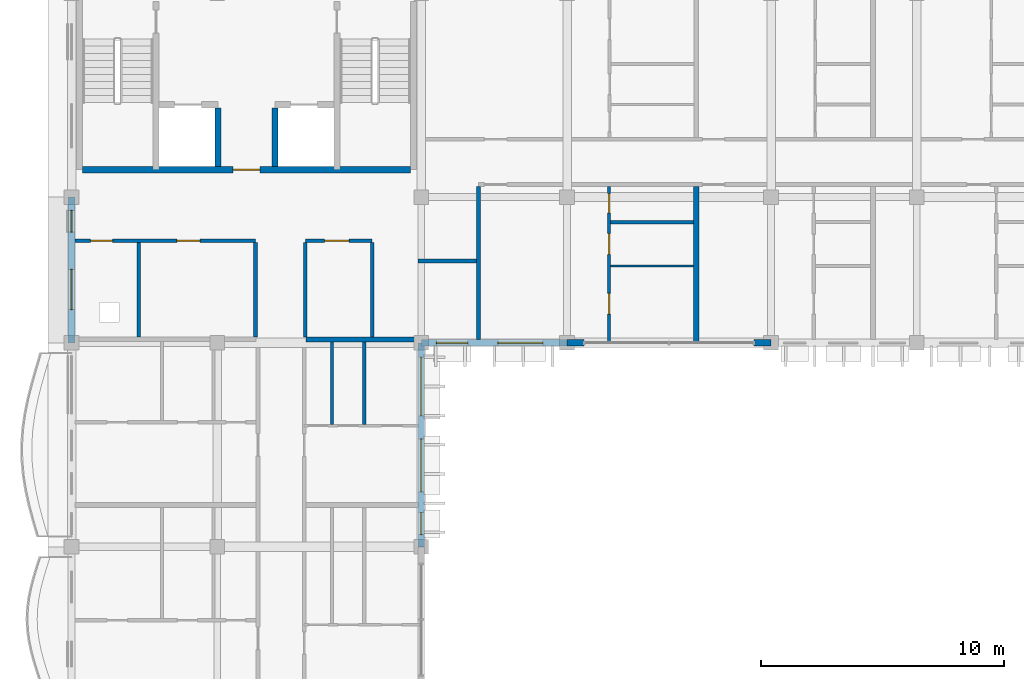
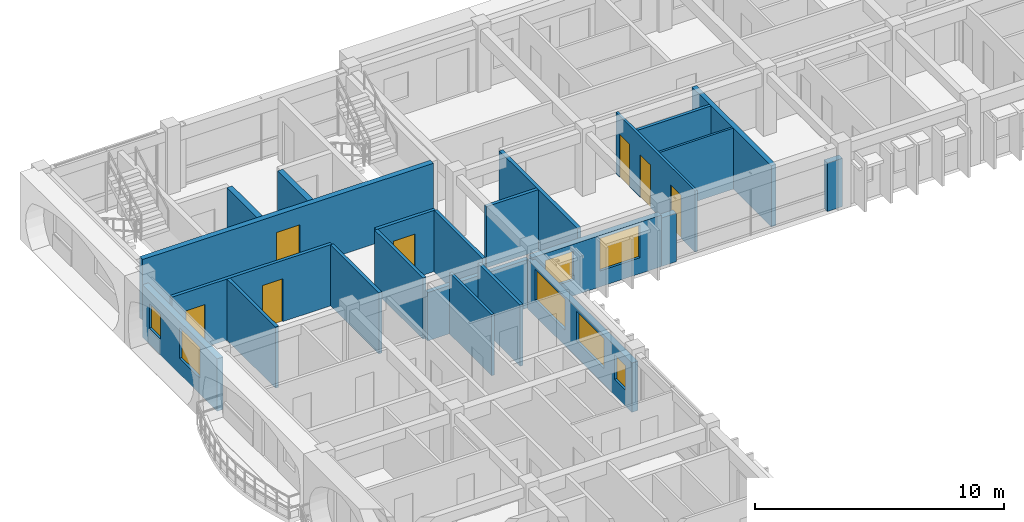
# One storey, part 26 of 54: 23 walls, 7 doors, 7 windows, 14 openings.
"""IFC4 building model written with IfcOpenShell, lengths in metres."""

from ifc_helpers import new_model, si_unit, direction, frame, frame_2d, origin, place, context, subcontext, project, spatial, rectangle, extrude, material, layer, layer_set, type_object, element, fill, save


model = new_model("IFC4")

# Units and contexts
model_context = context("Model", 3, precision=1e-05, world=origin(), true_north=direction((0.0, 1.0)))
body_context = subcontext(model_context, "Body", "Model", "MODEL_VIEW")
ifc_project = project(units=[si_unit("LENGTHUNIT", "METRE"), si_unit("AREAUNIT", "SQUARE_METRE"), si_unit("VOLUMEUNIT", "CUBIC_METRE"), si_unit("PLANEANGLEUNIT", "RADIAN"), si_unit("MASSUNIT", "GRAM", prefix="KILO"), si_unit("THERMODYNAMICTEMPERATUREUNIT", "KELVIN")], contexts=[model_context])

# Site, building, storey
site_placement = place(None, origin())
site = spatial("IfcSite", under=ifc_project, at=site_placement, CompositionType="ELEMENT")
building_placement = place(site_placement, origin())
building = spatial("IfcBuilding", under=site, at=building_placement, Name="Thalorik Housing Commons", CompositionType="ELEMENT")
storey_placement = place(building_placement, frame((0.0, 0.0, 31.199951171875)))
storey = spatial("IfcBuildingStorey", under=building, at=storey_placement, Name="L09", CompositionType="ELEMENT", Elevation=31.199951171875)

# Walls
ifc_material_1 = material(Name="Concrete C40/50", Category="concrete")
ifc_layer_1 = layer(ifc_material_1, 0.25, Name="Concrete C40/50", Category="concrete")
ifc_layer_set_1 = layer_set([ifc_layer_1], Name="Concrete C40/50")
wall_type_1 = type_object("IfcWallType", Name="ARC-WAL-CORE-250", PredefinedType="SHEAR", material=ifc_layer_set_1)
for number, where, z_axis, x_axis, name in (
    (1, (14.425048828125, 118.875, 0.0), (0.0, 0.0, 1.0), (0.0, -1.0, 0.0), "L09 Lift 1 Cheek Wall"),
    (2, (16.77490234375, 118.875, 0.0), (0.0, 0.0, 1.0), (0.0, -1.0, 0.0), "L09 Lift 2 Cheek Wall"),
):
    element("IfcWall", number, at=place(storey_placement, frame(where, z_axis=z_axis, x_axis=x_axis)), inside=storey, type_object=wall_type_1, Name=name, PredefinedType="SHEAR", context=body_context, shape_type="SweptSolid", body=[
        extrude(rectangle(XDim=2.425048828125, YDim=0.25, at=frame_2d((1.21240234375, 0.0))), origin(), (0.0, 0.0, 1.0), 3.0),
    ])

# Wall, opening, door
wall_1_placement = place(storey_placement, frame((8.85009765625, 116.324951171875, 0.0), z_axis=(0.0, 0.0, 1.0), x_axis=(1.0, 0.0, 0.0)))
wall_1 = element("IfcWall", 3, at=wall_1_placement, inside=storey, type_object=wall_type_1, Name="L09 Core A Spine Shear Wall", PredefinedType="SHEAR", context=body_context, shape_type="SweptSolid", body=[
    extrude(rectangle(XDim=13.5, YDim=0.25, at=frame_2d((6.75, 0.0))), origin(), (0.0, 0.0, 1.0), 3.0),
])
opening_1_placement = place(wall_1_placement, frame((6.199951171875, 0.0, 0.0)))
opening_1 = element("IfcOpeningElement", 4, at=opening_1_placement, cuts=wall_1, Name="Opening ID-0085", PredefinedType="OPENING", context=body_context, shape_type="SweptSolid", body=[
    extrude(rectangle(XDim=1.10009765625, YDim=2.14990234375, at=frame_2d((0.550048828125, 1.074951171875))), frame((0.0, 0.135009765625, 0.0), z_axis=(0.0, -1.0, 0.0), x_axis=(1.0, 0.0, 0.0)), (0.0, 0.0, 1.0), 0.27001953125),
])
ifc_material_2 = material(Name="Steel S355", Category="steel")
door_type_1 = type_object("IfcDoorType", Name="ARC-DR-FD60-1100", OperationType="NOTDEFINED", PredefinedType="DOOR", material=ifc_material_2)
door_1_placement = place(opening_1_placement, origin())
door_1 = element("IfcDoor", 5, at=door_1_placement, inside=storey, type_object=door_type_1, Name="L09 Core A Lobby Fire Door", OperationType="SINGLE_SWING_RIGHT", OverallHeight=2.14990234375, OverallWidth=1.10009765625, PredefinedType="DOOR", context=body_context, shape_type="SweptSolid", body=[
    extrude(rectangle(XDim=1.10009765625, YDim=2.14990234375, at=frame_2d((0.550048828125, 1.074951171875))), frame((0.0, 0.02490234375, 0.0), z_axis=(0.0, -1.0, 0.0), x_axis=(1.0, 0.0, 0.0)), (0.0, 0.0, 1.0), 0.050048828125),
])
fill(opening_1, door_1)

# Walls
ifc_material_3 = material(Name="Masonry fire-rated corridor wall", Category="masonry")
ifc_layer_2 = layer(ifc_material_3, 0.14990234375, Name="Masonry fire-rated corridor wall", Category="masonry")
ifc_layer_set_2 = layer_set([ifc_layer_2], Name="Masonry fire-rated corridor wall")
wall_type_2 = type_object("IfcWallType", Name="ARC-WAL-CORR-150", PredefinedType="PARTITIONING", material=ifc_layer_set_2)
wall_2_placement = place(storey_placement, frame((22.659912109375, 112.570068359375, 0.0), z_axis=(0.0, 0.0, 1.0), x_axis=(1.0, 0.0, 0.0)))
element("IfcWall", 6, at=wall_2_placement, inside=storey, type_object=wall_type_2, Name="L09 Block A Vestibule South Wall", PredefinedType="PARTITIONING", context=body_context, shape_type="SweptSolid", body=[
    extrude(rectangle(XDim=2.405517578125, YDim=0.14990234375, at=frame_2d((1.20263671875, 0.0))), origin(), (0.0, 0.0, 1.0), 3.0),
])
ifc_layer_3 = layer(ifc_material_3, 0.1650390625, Name="Masonry fire-rated corridor wall", Category="masonry")
ifc_layer_set_3 = layer_set([ifc_layer_3], Name="Masonry fire-rated corridor wall")
wall_type_3 = type_object("IfcWallType", Name="ARC-WAL-CORR-165", PredefinedType="PARTITIONING", material=ifc_layer_set_3)
wall_3_placement = place(storey_placement, frame((25.14990234375, 109.339599609375, 0.0), z_axis=(0.0, 0.0, 1.0), x_axis=(0.0, 1.0, 0.0)))
element("IfcWall", 7, at=wall_3_placement, inside=storey, type_object=wall_type_3, Name="L09 Block A Vestibule Cheek Wall", PredefinedType="PARTITIONING", context=body_context, shape_type="SweptSolid", body=[
    extrude(rectangle(XDim=6.2958984375, YDim=0.1650390625, at=frame_2d((3.14794921875, 0.0))), origin(), (0.0, 0.0, 1.0), 3.0),
])

# Wall, openings, windows
ifc_material_4 = material(Name="White precast concrete C40/50", Category="concrete")
ifc_layer_4 = layer(ifc_material_4, 0.27490234375, Name="White precast concrete C40/50", Category="concrete")
ifc_layer_set_4 = layer_set([ifc_layer_4], Name="White precast concrete C40/50")
wall_type_4 = type_object("IfcWallType", Name="ARC-WAL-EXT-275", PredefinedType="STANDARD", material=ifc_layer_set_4)
wall_4_placement = place(storey_placement, frame((22.800048828125, 109.199951171875, 0.0), z_axis=(0.0, 0.0, 1.0), x_axis=(1.0, 0.0, 0.0)))
wall_4 = element("IfcWall", 8, at=wall_4_placement, inside=storey, type_object=wall_type_4, Name="L09 Exterior Wall WAL-EXT-L09-A-0235", PredefinedType="STANDARD", context=body_context, shape_type="SweptSolid", body=[
    extrude(rectangle(XDim=6.0, YDim=0.27490234375, at=frame_2d((3.0, 0.0))), origin(), (0.0, 0.0, 1.0), 2.525146484375),
])
opening_2_placement = place(wall_4_placement, frame((0.6201171875, 0.0, 0.780029296875)))
opening_2 = element("IfcOpeningElement", 9, at=opening_2_placement, cuts=wall_4, Name="Opening W-06", PredefinedType="OPENING", context=body_context, shape_type="SweptSolid", body=[
    extrude(rectangle(XDim=1.300048828125, YDim=1.39990234375, at=frame_2d((0.64990234375, 0.699951171875))), frame((0.0, 0.1474609375, 0.0), z_axis=(0.0, -1.0, 0.0), x_axis=(1.0, 0.0, 0.0)), (0.0, 0.0, 1.0), 0.294921875),
])
opening_3_placement = place(wall_4_placement, frame((3.155029296875, 0.0, 0.780029296875)))
opening_3 = element("IfcOpeningElement", 10, at=opening_3_placement, cuts=wall_4, Name="Opening W-20", PredefinedType="OPENING", context=body_context, shape_type="SweptSolid", body=[
    extrude(rectangle(XDim=1.85009765625, YDim=1.60009765625, at=frame_2d((0.925048828125, 0.800048828125))), frame((0.0, 0.1474609375, 0.0), z_axis=(0.0, -1.0, 0.0), x_axis=(1.0, 0.0, 0.0)), (0.0, 0.0, 1.0), 0.294921875),
])
ifc_material_5 = material(Name="Anodised aluminium and solar-control low-E glass", Category="aluminium")
window_type_1 = type_object("IfcWindowType", Name="ARC-WIN-06", PartitioningType="SINGLE_PANEL", PredefinedType="WINDOW", material=ifc_material_5)
window_1_placement = place(opening_2_placement, origin())
window_1 = element("IfcWindow", 11, at=window_1_placement, inside=storey, type_object=window_type_1, Name="L09 Facade Window 424", OverallHeight=1.39990234375, OverallWidth=1.300048828125, PartitioningType="SINGLE_PANEL", PredefinedType="WINDOW", context=body_context, shape_type="SweptSolid", body=[
    extrude(rectangle(XDim=1.300048828125, YDim=1.39990234375, at=frame_2d((0.64990234375, 0.699951171875))), frame((0.0, 0.030029296875, 0.0), z_axis=(0.0, -1.0, 0.0), x_axis=(1.0, 0.0, 0.0)), (0.0, 0.0, 1.0), 0.06005859375),
])
fill(opening_2, window_1)
window_type_2 = type_object("IfcWindowType", Name="ARC-WIN-20", PartitioningType="DOUBLE_PANEL_VERTICAL", PredefinedType="WINDOW", material=ifc_material_5)
window_2_placement = place(opening_3_placement, origin())
window_2 = element("IfcWindow", 12, at=window_2_placement, inside=storey, type_object=window_type_2, Name="L09 Facade Window 425", OverallHeight=1.60009765625, OverallWidth=1.85009765625, PartitioningType="DOUBLE_PANEL_VERTICAL", PredefinedType="WINDOW", context=body_context, shape_type="SweptSolid", body=[
    extrude(rectangle(XDim=1.85009765625, YDim=1.60009765625, at=frame_2d((0.925048828125, 0.800048828125))), frame((0.0, 0.030029296875, 0.0), z_axis=(0.0, -1.0, 0.0), x_axis=(1.0, 0.0, 0.0)), (0.0, 0.0, 1.0), 0.06005859375),
])
fill(opening_3, window_2)

# Walls
for number, where, z_axis, x_axis, name in (
    (13, (28.800048828125, 109.199951171875, 0.0), (0.0, 0.0, 1.0), (1.0, 0.0, 0.0), "L09 Exterior Wall WAL-PIERL-L09-A-0236"),
    (14, (36.5, 109.199951171875, 0.0), (0.0, 0.0, 1.0), (1.0, 0.0, 0.0), "L09 Exterior Wall WAL-PIERR-L09-A-0236"),
):
    element("IfcWall", number, at=place(storey_placement, frame(where, z_axis=z_axis, x_axis=x_axis)), inside=storey, type_object=wall_type_4, Name=name, PredefinedType="STANDARD", context=body_context, shape_type="SweptSolid", body=[
        extrude(rectangle(XDim=0.699951171875, YDim=0.27490234375, at=frame_2d((0.35009765625, 0.0))), origin(), (0.0, 0.0, 1.0), 2.375),
    ])

# Wall, openings, windows
wall_5_placement = place(storey_placement, frame((8.39990234375, 115.199951171875, 0.0), z_axis=(0.0, 0.0, 1.0), x_axis=(0.0, -1.0, 0.0)))
wall_5 = element("IfcWall", 15, at=wall_5_placement, inside=storey, type_object=wall_type_4, Name="L09 Exterior Wall WAL-EXT-L09-A-0248", PredefinedType="STANDARD", context=body_context, shape_type="SweptSolid", body=[
    extrude(rectangle(XDim=6.0, YDim=0.27490234375, at=frame_2d((3.0, 0.0))), origin(), (0.0, 0.0, 1.0), 2.574951171875),
])
opening_4_placement = place(wall_5_placement, frame((0.544921875, 0.0, 0.780029296875)))
opening_4 = element("IfcOpeningElement", 16, at=opening_4_placement, cuts=wall_5, Name="Opening W-01", PredefinedType="OPENING", context=body_context, shape_type="SweptSolid", body=[
    extrude(rectangle(XDim=0.89990234375, YDim=1.199951171875, at=frame_2d((0.449951171875, 0.60009765625))), frame((0.0, 0.1474609375, 0.0), z_axis=(0.0, -1.0, 0.0), x_axis=(1.0, 0.0, 0.0)), (0.0, 0.0, 1.0), 0.294921875),
])
opening_5_placement = place(wall_5_placement, frame((2.97998046875, 0.0, 0.780029296875)))
opening_5 = element("IfcOpeningElement", 17, at=opening_5_placement, cuts=wall_5, Name="Opening W-15", PredefinedType="OPENING", context=body_context, shape_type="SweptSolid", body=[
    extrude(rectangle(XDim=1.64990234375, YDim=1.5, at=frame_2d((0.824951171875, 0.75))), frame((0.0, 0.1474609375, 0.0), z_axis=(0.0, -1.0, 0.0), x_axis=(1.0, 0.0, 0.0)), (0.0, 0.0, 1.0), 0.294921875),
])
window_type_3 = type_object("IfcWindowType", Name="ARC-WIN-01", PartitioningType="SINGLE_PANEL", PredefinedType="WINDOW", material=ifc_material_5)
window_3_placement = place(opening_4_placement, origin())
window_3 = element("IfcWindow", 18, at=window_3_placement, inside=storey, type_object=window_type_3, Name="L09 Facade Window 444", OverallHeight=1.199951171875, OverallWidth=0.89990234375, PartitioningType="SINGLE_PANEL", PredefinedType="WINDOW", context=body_context, shape_type="SweptSolid", body=[
    extrude(rectangle(XDim=0.89990234375, YDim=1.199951171875, at=frame_2d((0.449951171875, 0.60009765625))), frame((0.0, 0.030029296875, 0.0), z_axis=(0.0, -1.0, 0.0), x_axis=(1.0, 0.0, 0.0)), (0.0, 0.0, 1.0), 0.06005859375),
])
fill(opening_4, window_3)
window_type_4 = type_object("IfcWindowType", Name="ARC-WIN-15", PartitioningType="DOUBLE_PANEL_VERTICAL", PredefinedType="WINDOW", material=ifc_material_5)
window_4_placement = place(opening_5_placement, origin())
window_4 = element("IfcWindow", 19, at=window_4_placement, inside=storey, type_object=window_type_4, Name="L09 Facade Window 445", OverallHeight=1.5, OverallWidth=1.64990234375, PartitioningType="DOUBLE_PANEL_VERTICAL", PredefinedType="WINDOW", context=body_context, shape_type="SweptSolid", body=[
    extrude(rectangle(XDim=1.64990234375, YDim=1.5, at=frame_2d((0.824951171875, 0.75))), frame((0.0, 0.030029296875, 0.0), z_axis=(0.0, -1.0, 0.0), x_axis=(1.0, 0.0, 0.0)), (0.0, 0.0, 1.0), 0.06005859375),
])
fill(opening_5, window_4)

wall_6_placement = place(storey_placement, frame((22.800048828125, 100.800048828125, 0.0), z_axis=(0.0, 0.0, 1.0), x_axis=(0.0, 1.0, 0.0)))
wall_6 = element("IfcWall", 20, at=wall_6_placement, inside=storey, type_object=wall_type_4, Name="L09 Exterior Wall WAL-EXT-L09-A-0256", PredefinedType="STANDARD", context=body_context, shape_type="SweptSolid", body=[
    extrude(rectangle(XDim=8.39990234375, YDim=0.27490234375, at=frame_2d((4.199951171875, 0.0))), origin(), (0.0, 0.0, 1.0), 2.425048828125),
])
opening_6_placement = place(wall_6_placement, frame((0.5048828125, 0.0, 0.780029296875)))
opening_6 = element("IfcOpeningElement", 21, at=opening_6_placement, cuts=wall_6, Name="Opening W-01", PredefinedType="OPENING", context=body_context, shape_type="SweptSolid", body=[
    extrude(rectangle(XDim=0.89990234375, YDim=1.199951171875, at=frame_2d((0.449951171875, 0.60009765625))), frame((0.0, 0.1474609375, 0.0), z_axis=(0.0, -1.0, 0.0), x_axis=(1.0, 0.0, 0.0)), (0.0, 0.0, 1.0), 0.294921875),
])
opening_7_placement = place(wall_6_placement, frame((2.266845703125, 0.0, 0.780029296875)))
opening_7 = element("IfcOpeningElement", 22, at=opening_7_placement, cuts=wall_6, Name="Opening W-65", PredefinedType="OPENING", context=body_context, shape_type="SweptSolid", body=[
    extrude(rectangle(XDim=2.179931640625, YDim=1.47998046875, at=frame_2d((1.08984375, 0.739990234375))), frame((0.0, 0.1474609375, 0.0), z_axis=(0.0, -1.0, 0.0), x_axis=(1.0, 0.0, 0.0)), (0.0, 0.0, 1.0), 0.294921875),
])
opening_8_placement = place(wall_6_placement, frame((5.391845703125, 0.0, 0.780029296875)))
opening_8 = element("IfcOpeningElement", 23, at=opening_8_placement, cuts=wall_6, Name="Opening W-70", PredefinedType="OPENING", context=body_context, shape_type="SweptSolid", body=[
    extrude(rectangle(XDim=2.419921875, YDim=1.52001953125, at=frame_2d((1.2099609375, 0.760009765625))), frame((0.0, 0.1474609375, 0.0), z_axis=(0.0, -1.0, 0.0), x_axis=(1.0, 0.0, 0.0)), (0.0, 0.0, 1.0), 0.294921875),
])
window_5_placement = place(opening_6_placement, origin())
window_5 = element("IfcWindow", 24, at=window_5_placement, inside=storey, type_object=window_type_3, Name="L09 Facade Window 457", OverallHeight=1.199951171875, OverallWidth=0.89990234375, PartitioningType="SINGLE_PANEL", PredefinedType="WINDOW", context=body_context, shape_type="SweptSolid", body=[
    extrude(rectangle(XDim=0.89990234375, YDim=1.199951171875, at=frame_2d((0.449951171875, 0.60009765625))), frame((0.0, 0.030029296875, 0.0), z_axis=(0.0, -1.0, 0.0), x_axis=(1.0, 0.0, 0.0)), (0.0, 0.0, 1.0), 0.06005859375),
])
fill(opening_6, window_5)
window_type_5 = type_object("IfcWindowType", Name="ARC-WIN-65", PartitioningType="DOUBLE_PANEL_VERTICAL", PredefinedType="WINDOW", material=ifc_material_5)
window_6_placement = place(opening_7_placement, origin())
window_6 = element("IfcWindow", 25, at=window_6_placement, inside=storey, type_object=window_type_5, Name="L09 Facade Window 458", OverallHeight=1.47998046875, OverallWidth=2.179931640625, PartitioningType="DOUBLE_PANEL_VERTICAL", PredefinedType="WINDOW", context=body_context, shape_type="SweptSolid", body=[
    extrude(rectangle(XDim=2.179931640625, YDim=1.47998046875, at=frame_2d((1.08984375, 0.739990234375))), frame((0.0, 0.030029296875, 0.0), z_axis=(0.0, -1.0, 0.0), x_axis=(1.0, 0.0, 0.0)), (0.0, 0.0, 1.0), 0.06005859375),
])
fill(opening_7, window_6)
window_type_6 = type_object("IfcWindowType", Name="ARC-WIN-70", PartitioningType="DOUBLE_PANEL_VERTICAL", PredefinedType="WINDOW", material=ifc_material_5)
window_7_placement = place(opening_8_placement, origin())
window_7 = element("IfcWindow", 26, at=window_7_placement, inside=storey, type_object=window_type_6, Name="L09 Facade Window 459", OverallHeight=1.52001953125, OverallWidth=2.419921875, PartitioningType="DOUBLE_PANEL_VERTICAL", PredefinedType="WINDOW", context=body_context, shape_type="SweptSolid", body=[
    extrude(rectangle(XDim=2.419921875, YDim=1.52001953125, at=frame_2d((1.2099609375, 0.760009765625))), frame((0.0, 0.030029296875, 0.0), z_axis=(0.0, -1.0, 0.0), x_axis=(1.0, 0.0, 0.0)), (0.0, 0.0, 1.0), 0.06005859375),
])
fill(opening_8, window_7)

# Wall
ifc_material_6 = material(Name="Gypsum light stud partition", Category="masonry")
ifc_layer_5 = layer(ifc_material_6, 0.10009765625, Name="Gypsum light stud partition", Category="masonry")
ifc_layer_set_5 = layer_set([ifc_layer_5], Name="Gypsum light stud partition")
wall_type_5 = type_object("IfcWallType", Name="ARC-WAL-PART-100", PredefinedType="PARTITIONING", material=ifc_layer_set_5)
wall_7_placement = place(storey_placement, frame((30.594482421875, 112.36083984375, 0.0), z_axis=(0.0, 0.0, 1.0), x_axis=(1.0, 0.0, 0.0)))
element("IfcWall", 27, at=wall_7_placement, inside=storey, type_object=wall_type_5, Name="L09 Unit 1 Bedroom Partition", PredefinedType="PARTITIONING", context=body_context, shape_type="SweptSolid", body=[
    extrude(rectangle(XDim=3.41357421875, YDim=0.10009765625, at=frame_2d((1.706787109375, 0.0))), origin(), (0.0, 0.0, 1.0), 3.0),
])

# Wall, openings, doors
ifc_material_7 = material(Name="Gypsum moisture-resistant partition", Category="masonry")
ifc_layer_6 = layer(ifc_material_7, 0.114990234375, Name="Gypsum moisture-resistant partition", Category="masonry")
ifc_layer_set_6 = layer_set([ifc_layer_6], Name="Gypsum moisture-resistant partition")
wall_type_6 = type_object("IfcWallType", Name="ARC-WAL-PART-115", PredefinedType="PARTITIONING", material=ifc_layer_set_6)
wall_8_placement = place(storey_placement, frame((30.534912109375, 109.260009765625, 0.0), z_axis=(0.0, 0.0, 1.0), x_axis=(0.0, 1.0, 0.0)))
wall_8 = element("IfcWall", 28, at=wall_8_placement, inside=storey, type_object=wall_type_6, Name="L09 Unit 1 Spine Partition", PredefinedType="PARTITIONING", context=body_context, shape_type="SweptSolid", body=[
    extrude(rectangle(XDim=6.37548828125, YDim=0.114990234375, at=frame_2d((3.187744140625, 0.0))), origin(), (0.0, 0.0, 1.0), 3.0),
])
opening_9_placement = place(wall_8_placement, frame((1.12548828125, 0.0, 0.0)))
opening_9 = element("IfcOpeningElement", 29, at=opening_9_placement, cuts=wall_8, Name="Opening ID-0765", PredefinedType="OPENING", context=body_context, shape_type="SweptSolid", body=[
    extrude(rectangle(XDim=0.85009765625, YDim=2.10009765625, at=frame_2d((0.425048828125, 1.050048828125))), frame((0.0, 0.0673828125, 0.0), z_axis=(0.0, -1.0, 0.0), x_axis=(1.0, 0.0, 0.0)), (0.0, 0.0, 1.0), 0.135009765625),
])
opening_10_placement = place(wall_8_placement, frame((3.580078125, 0.0, 0.0)))
opening_10 = element("IfcOpeningElement", 30, at=opening_10_placement, cuts=wall_8, Name="Opening ID-0766", PredefinedType="OPENING", context=body_context, shape_type="SweptSolid", body=[
    extrude(rectangle(XDim=0.85009765625, YDim=2.10009765625, at=frame_2d((0.425048828125, 1.050048828125))), frame((0.0, 0.0673828125, 0.0), z_axis=(0.0, -1.0, 0.0), x_axis=(1.0, 0.0, 0.0)), (0.0, 0.0, 1.0), 0.135009765625),
])
opening_11_placement = place(wall_8_placement, frame((5.284912109375, 0.0, 0.0)))
opening_11 = element("IfcOpeningElement", 31, at=opening_11_placement, cuts=wall_8, Name="Opening ID-0767", PredefinedType="OPENING", context=body_context, shape_type="SweptSolid", body=[
    extrude(rectangle(XDim=0.800048828125, YDim=2.10009765625, at=frame_2d((0.39990234375, 1.050048828125))), frame((0.0, 0.0673828125, 0.0), z_axis=(0.0, -1.0, 0.0), x_axis=(1.0, 0.0, 0.0)), (0.0, 0.0, 1.0), 0.135009765625),
])
ifc_material_8 = material(Name="Moisture-resistant timber", Category="wood")
door_type_2 = type_object("IfcDoorType", Name="ARC-DR-INT-800", OperationType="NOTDEFINED", PredefinedType="DOOR", material=ifc_material_8)
door_2_placement = place(opening_11_placement, origin())
door_2 = element("IfcDoor", 32, at=door_2_placement, inside=storey, type_object=door_type_2, Name="L09 Flat Bathroom Door", OperationType="SINGLE_SWING_RIGHT", OverallHeight=2.10009765625, OverallWidth=0.800048828125, PredefinedType="DOOR", context=body_context, shape_type="SweptSolid", body=[
    extrude(rectangle(XDim=0.800048828125, YDim=2.10009765625, at=frame_2d((0.39990234375, 1.050048828125))), frame((0.0, 0.02490234375, 0.0), z_axis=(0.0, -1.0, 0.0), x_axis=(1.0, 0.0, 0.0)), (0.0, 0.0, 1.0), 0.050048828125),
])
fill(opening_11, door_2)
ifc_material_9 = material(Name="Engineered oak timber", Category="wood")
door_type_3 = type_object("IfcDoorType", Name="ARC-DR-INT-850", OperationType="NOTDEFINED", PredefinedType="DOOR", material=ifc_material_9)
door_3_placement = place(opening_9_placement, origin())
door_3 = element("IfcDoor", 33, at=door_3_placement, inside=storey, type_object=door_type_3, Name="L09 Double Bedroom Door", OperationType="SINGLE_SWING_RIGHT", OverallHeight=2.10009765625, OverallWidth=0.85009765625, PredefinedType="DOOR", context=body_context, shape_type="SweptSolid", body=[
    extrude(rectangle(XDim=0.85009765625, YDim=2.10009765625, at=frame_2d((0.425048828125, 1.050048828125))), frame((0.0, 0.02490234375, 0.0), z_axis=(0.0, -1.0, 0.0), x_axis=(1.0, 0.0, 0.0)), (0.0, 0.0, 1.0), 0.050048828125),
])
fill(opening_9, door_3)
door_4_placement = place(opening_10_placement, origin())
door_4 = element("IfcDoor", 34, at=door_4_placement, inside=storey, type_object=door_type_3, Name="L09 Galley Kitchen Door", OperationType="SINGLE_SWING_LEFT", OverallHeight=2.10009765625, OverallWidth=0.85009765625, PredefinedType="DOOR", context=body_context, shape_type="SweptSolid", body=[
    extrude(rectangle(XDim=0.85009765625, YDim=2.10009765625, at=frame_2d((0.425048828125, 1.050048828125))), frame((0.0, 0.02490234375, 0.0), z_axis=(0.0, -1.0, 0.0), x_axis=(1.0, 0.0, 0.0)), (0.0, 0.0, 1.0), 0.050048828125),
])
fill(opening_10, door_4)

# Walls
ifc_material_10 = material(Name="Gypsum acoustic stud partition", Category="masonry")
ifc_layer_7 = layer(ifc_material_10, 0.125, Name="Gypsum acoustic stud partition", Category="masonry")
ifc_layer_set_7 = layer_set([ifc_layer_7], Name="Gypsum acoustic stud partition")
wall_type_7 = type_object("IfcWallType", Name="ARC-WAL-PART-125", PredefinedType="PARTITIONING", material=ifc_layer_set_7)
wall_9_placement = place(storey_placement, frame((19.122314453125, 105.845703125, 0.0), z_axis=(0.0, 0.0, 1.0), x_axis=(0.0, 1.0, 0.0)))
element("IfcWall", 35, at=wall_9_placement, inside=storey, type_object=wall_type_7, Name="L09 Unit 3B Wet Wall", PredefinedType="PARTITIONING", context=body_context, shape_type="SweptSolid", body=[
    extrude(rectangle(XDim=3.392333984375, YDim=0.125, at=frame_2d((1.6962890625, 0.0))), origin(), (0.0, 0.0, 1.0), 3.0),
])
ifc_material_11 = material(Name="Ceramic masonry partition wall", Category="masonry")
ifc_layer_8 = layer(ifc_material_11, 0.139892578125, Name="Ceramic masonry partition wall", Category="masonry")
ifc_layer_set_8 = layer_set([ifc_layer_8], Name="Ceramic masonry partition wall")
wall_type_8 = type_object("IfcWallType", Name="ARC-WAL-PART-140", PredefinedType="PARTITIONING", material=ifc_layer_set_8)
wall_10_placement = place(storey_placement, frame((30.594482421875, 114.169677734375, 0.0), z_axis=(0.0, 0.0, 1.0), x_axis=(1.0, 0.0, 0.0)))
element("IfcWall", 36, at=wall_10_placement, inside=storey, type_object=wall_type_8, Name="L09 Unit 1 Wet Wall", PredefinedType="PARTITIONING", context=body_context, shape_type="SweptSolid", body=[
    extrude(rectangle(XDim=3.41357421875, YDim=0.139892578125, at=frame_2d((1.706787109375, 0.0))), origin(), (0.0, 0.0, 1.0), 3.0),
])
wall_11_placement = place(storey_placement, frame((20.455078125, 105.845703125, 0.0), z_axis=(0.0, 0.0, 1.0), x_axis=(0.0, 1.0, 0.0)))
element("IfcWall", 37, at=wall_11_placement, inside=storey, type_object=wall_type_8, Name="L09 Unit 3B Bedroom Partition", PredefinedType="PARTITIONING", context=body_context, shape_type="SweptSolid", body=[
    extrude(rectangle(XDim=3.392333984375, YDim=0.139892578125, at=frame_2d((1.6962890625, 0.0))), origin(), (0.0, 0.0, 1.0), 3.0),
])
ifc_layer_9 = layer(ifc_material_11, 0.14794921875, Name="Ceramic masonry partition wall", Category="masonry")
ifc_layer_set_9 = layer_set([ifc_layer_9], Name="Ceramic masonry partition wall")
wall_type_9 = type_object("IfcWallType", Name="ARC-WAL-PART-150", PredefinedType="PARTITIONING", material=ifc_layer_set_9)
for number, where, z_axis, x_axis, name in (
    (38, (11.175048828125, 113.323974609375, 0.0), (0.0, 0.0, 1.0), (0.0, -1.0, 0.0), "Riser Wall"),
    (39, (15.97509765625, 113.323974609375, 0.0), (0.0, 0.0, 1.0), (0.0, -1.0, 0.0), "Core Stem West Cheek Wall"),
):
    element("IfcWall", number, at=place(storey_placement, frame(where, z_axis=z_axis, x_axis=x_axis)), inside=storey, type_object=wall_type_9, Name=name, PredefinedType="PARTITIONING", context=body_context, shape_type="SweptSolid", body=[
        extrude(rectangle(XDim=3.889404296875, YDim=0.14794921875, at=frame_2d((1.94482421875, 0.0))), origin(), (0.0, 0.0, 1.0), 3.0),
    ])
for number, where, z_axis, x_axis, name in (
    (40, (18.02490234375, 113.323974609375, 0.0), (0.0, 0.0, 1.0), (0.0, -1.0, 0.0), "Core Stem East Cheek Wall"),
    (41, (20.780029296875, 113.323974609375, 0.0), (0.0, 0.0, 1.0), (0.0, -1.0, 0.0), "Core East Enclosing Wall"),
):
    element("IfcWall", number, at=place(storey_placement, frame(where, z_axis=z_axis, x_axis=x_axis)), inside=storey, type_object=wall_type_9, Name=name, PredefinedType="PARTITIONING", context=body_context, shape_type="SweptSolid", body=[
        extrude(rectangle(XDim=3.882080078125, YDim=0.14794921875, at=frame_2d((1.94091796875, 0.0))), origin(), (0.0, 0.0, 1.0), 3.0),
    ])

# Wall, openings, doors
wall_12_placement = place(storey_placement, frame((8.5400390625, 113.39990234375, 0.0), z_axis=(0.0, 0.0, 1.0), x_axis=(1.0, 0.0, 0.0)))
wall_12 = element("IfcWall", 42, at=wall_12_placement, inside=storey, type_object=wall_type_9, Name="L09 Core A West Corridor Partition", PredefinedType="PARTITIONING", context=body_context, shape_type="SweptSolid", body=[
    extrude(rectangle(XDim=7.43505859375, YDim=0.14794921875, at=frame_2d((3.717529296875, 0.0))), origin(), (0.0, 0.0, 1.0), 3.0),
])
opening_12_placement = place(wall_12_placement, frame((0.64990234375, 0.0, 0.0)))
opening_12 = element("IfcOpeningElement", 43, at=opening_12_placement, cuts=wall_12, Name="Opening ID-0086", PredefinedType="OPENING", context=body_context, shape_type="SweptSolid", body=[
    extrude(rectangle(XDim=0.89990234375, YDim=2.10009765625, at=frame_2d((0.449951171875, 1.050048828125))), frame((0.0, 0.083984375, 0.0), z_axis=(0.0, -1.0, 0.0), x_axis=(1.0, 0.0, 0.0)), (0.0, 0.0, 1.0), 0.16796875),
])
opening_13_placement = place(wall_12_placement, frame((4.199951171875, 0.0, 0.0)))
opening_13 = element("IfcOpeningElement", 44, at=opening_13_placement, cuts=wall_12, Name="Opening ID-0087", PredefinedType="OPENING", context=body_context, shape_type="SweptSolid", body=[
    extrude(rectangle(XDim=0.949951171875, YDim=2.10009765625, at=frame_2d((0.47509765625, 1.050048828125))), frame((0.0, 0.083984375, 0.0), z_axis=(0.0, -1.0, 0.0), x_axis=(1.0, 0.0, 0.0)), (0.0, 0.0, 1.0), 0.16796875),
])
door_type_4 = type_object("IfcDoorType", Name="ARC-DR-FD60-900", OperationType="NOTDEFINED", PredefinedType="DOOR", material=ifc_material_2)
door_5_placement = place(opening_12_placement, origin())
door_5 = element("IfcDoor", 45, at=door_5_placement, inside=storey, type_object=door_type_4, Name="Electrical Riser Door", OperationType="SINGLE_SWING_LEFT", OverallHeight=2.10009765625, OverallWidth=0.89990234375, PredefinedType="DOOR", context=body_context, shape_type="SweptSolid", body=[
    extrude(rectangle(XDim=0.89990234375, YDim=2.10009765625, at=frame_2d((0.449951171875, 1.050048828125))), frame((0.0, 0.02490234375, 0.0), z_axis=(0.0, -1.0, 0.0), x_axis=(1.0, 0.0, 0.0)), (0.0, 0.0, 1.0), 0.050048828125),
])
fill(opening_12, door_5)
door_type_5 = type_object("IfcDoorType", Name="ARC-DR-INT-950", OperationType="NOTDEFINED", PredefinedType="DOOR", material=ifc_material_9)
door_6_placement = place(opening_13_placement, origin())
door_6 = element("IfcDoor", 46, at=door_6_placement, inside=storey, type_object=door_type_5, Name="Accessible Bathroom Door", OperationType="SINGLE_SWING_RIGHT", OverallHeight=2.10009765625, OverallWidth=0.949951171875, PredefinedType="DOOR", context=body_context, shape_type="SweptSolid", body=[
    extrude(rectangle(XDim=0.949951171875, YDim=2.10009765625, at=frame_2d((0.47509765625, 1.050048828125))), frame((0.0, 0.02490234375, 0.0), z_axis=(0.0, -1.0, 0.0), x_axis=(1.0, 0.0, 0.0)), (0.0, 0.0, 1.0), 0.050048828125),
])
fill(opening_13, door_6)

# Wall, opening, door
wall_13_placement = place(storey_placement, frame((18.02490234375, 113.39990234375, 0.0), z_axis=(0.0, 0.0, 1.0), x_axis=(1.0, 0.0, 0.0)))
wall_13 = element("IfcWall", 47, at=wall_13_placement, inside=storey, type_object=wall_type_9, Name="L09 Core A East Corridor Partition", PredefinedType="PARTITIONING", context=body_context, shape_type="SweptSolid", body=[
    extrude(rectangle(XDim=2.755126953125, YDim=0.14794921875, at=frame_2d((1.37744140625, 0.0))), origin(), (0.0, 0.0, 1.0), 3.0),
])
opening_14_placement = place(wall_13_placement, frame((0.800048828125, 0.0, 0.0)))
opening_14 = element("IfcOpeningElement", 48, at=opening_14_placement, cuts=wall_13, Name="Opening ID-0088", PredefinedType="OPENING", context=body_context, shape_type="SweptSolid", body=[
    extrude(rectangle(XDim=1.0, YDim=2.14990234375, at=frame_2d((0.5, 1.074951171875))), frame((0.0, 0.083984375, 0.0), z_axis=(0.0, -1.0, 0.0), x_axis=(1.0, 0.0, 0.0)), (0.0, 0.0, 1.0), 0.16796875),
])
door_type_6 = type_object("IfcDoorType", Name="ARC-DR-FD60-1000", OperationType="NOTDEFINED", PredefinedType="DOOR", material=ifc_material_2)
door_7_placement = place(opening_14_placement, origin())
door_7 = element("IfcDoor", 49, at=door_7_placement, inside=storey, type_object=door_type_6, Name="Core Hub Room Door", OperationType="SINGLE_SWING_LEFT", OverallHeight=2.14990234375, OverallWidth=1.0, PredefinedType="DOOR", context=body_context, shape_type="SweptSolid", body=[
    extrude(rectangle(XDim=1.0, YDim=2.14990234375, at=frame_2d((0.5, 1.074951171875))), frame((0.0, 0.02490234375, 0.0), z_axis=(0.0, -1.0, 0.0), x_axis=(1.0, 0.0, 0.0)), (0.0, 0.0, 1.0), 0.050048828125),
])
fill(opening_14, door_7)

# Walls
ifc_material_12 = material(Name="Precast concrete C40/50 acoustic wall", Category="concrete")
ifc_layer_10 = layer(ifc_material_12, 0.199951171875, Name="Precast concrete C40/50 acoustic wall", Category="concrete")
ifc_layer_set_10 = layer_set([ifc_layer_10], Name="Precast concrete C40/50 acoustic wall")
wall_type_10 = type_object("IfcWallType", Name="ARC-WAL-PARTY-200", PredefinedType="PARTITIONING", material=ifc_layer_set_10)
wall_14_placement = place(storey_placement, frame((18.056884765625, 109.340087890625, 0.0), z_axis=(0.0, 0.0, 1.0), x_axis=(1.0, 0.0, 0.0)))
element("IfcWall", 50, at=wall_14_placement, inside=storey, type_object=wall_type_10, Name="L09 Core End Wall B", PredefinedType="PARTITIONING", context=body_context, shape_type="SweptSolid", body=[
    extrude(rectangle(XDim=4.68310546875, YDim=0.199951171875, at=frame_2d((2.341552734375, 0.0))), origin(), (0.0, 0.0, 1.0), 2.375),
])
ifc_layer_11 = layer(ifc_material_12, 0.219970703125, Name="Precast concrete C40/50 acoustic wall", Category="concrete")
ifc_layer_set_11 = layer_set([ifc_layer_11], Name="Precast concrete C40/50 acoustic wall")
wall_type_11 = type_object("IfcWallType", Name="ARC-WAL-PARTY-220", PredefinedType="PARTITIONING", material=ifc_layer_set_11)
wall_15_placement = place(storey_placement, frame((34.1201171875, 109.260009765625, 0.0), z_axis=(0.0, 0.0, 1.0), x_axis=(0.0, 1.0, 0.0)))
element("IfcWall", 51, at=wall_15_placement, inside=storey, type_object=wall_type_11, Name="L09 Inter-Tenancy Wall 1A", PredefinedType="PARTITIONING", context=body_context, shape_type="SweptSolid", body=[
    extrude(rectangle(XDim=6.37548828125, YDim=0.219970703125, at=frame_2d((3.187744140625, 0.0))), origin(), (0.0, 0.0, 1.0), 3.0),
])

save(model, "model.ifc")
